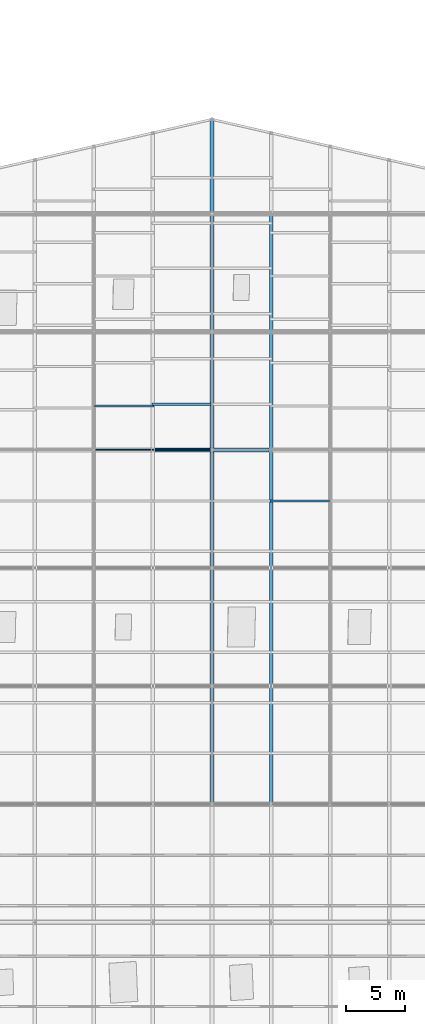
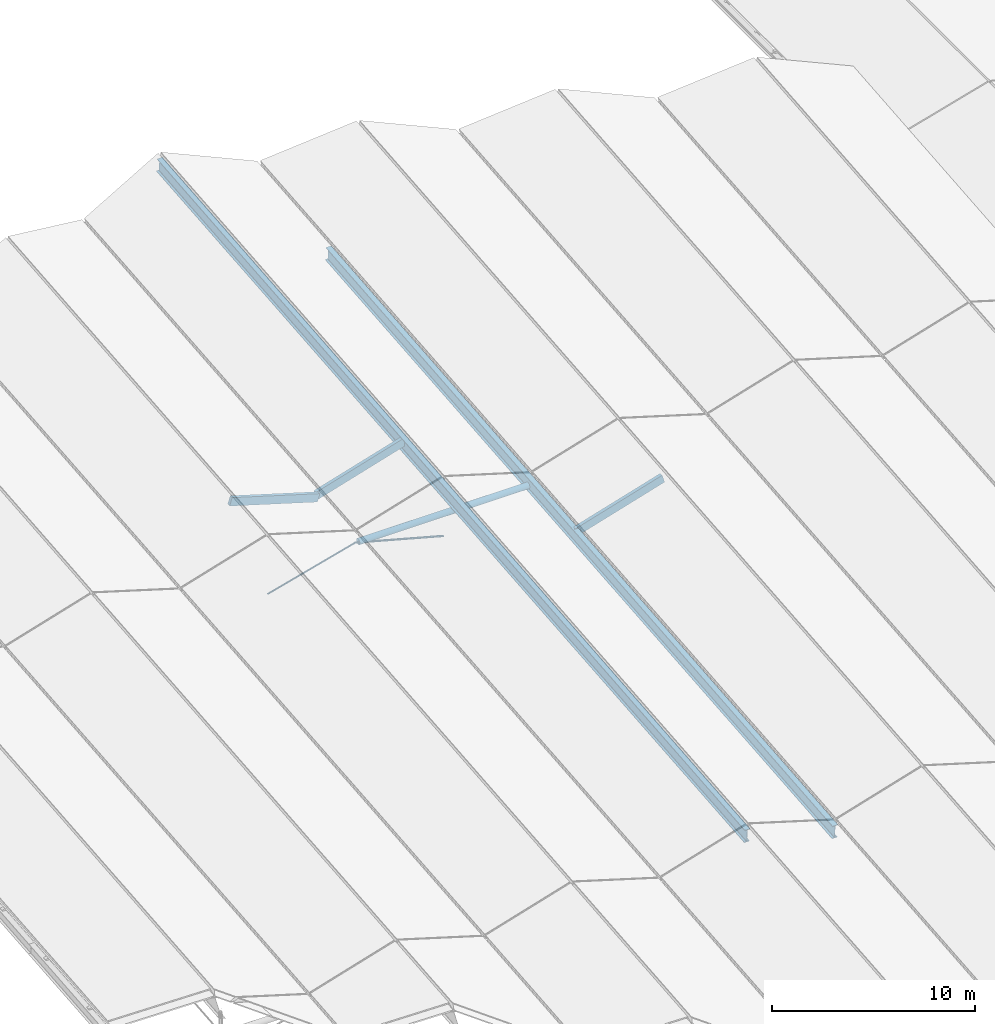
# One storey, part 32 of 90: 5 members, 3 beams.
"""IFC4 building model written with IfcOpenShell, lengths in metres."""

from ifc_helpers import new_model, si_unit, direction, frame, origin, origin_2d, place, context, subcontext, project, spatial, rectangle, circle, hollow_circle, i_section, extrude, material, material_profile, profile_set, type_object, element, save


model = new_model("IFC4")

# Units and contexts
model_context = context("Model", 3, precision=1e-05, world=origin(), true_north=direction((0.0, 1.0)))
body_context = subcontext(model_context, "Body", "Model", "MODEL_VIEW")
ifc_project = project(units=[si_unit("LENGTHUNIT", "METRE"), si_unit("AREAUNIT", "SQUARE_METRE"), si_unit("VOLUMEUNIT", "CUBIC_METRE"), si_unit("PLANEANGLEUNIT", "RADIAN"), si_unit("MASSUNIT", "GRAM", prefix="KILO"), si_unit("THERMODYNAMICTEMPERATUREUNIT", "KELVIN"), si_unit("POWERUNIT", "WATT")], contexts=[model_context])

# Site, building, storey
site_placement = place(None, origin())
site = spatial("IfcSite", under=ifc_project, at=site_placement, CompositionType="ELEMENT")
building_placement = place(site_placement, origin())
building = spatial("IfcBuilding", under=site, at=building_placement, Name="Korenveer Ferry Terminal", CompositionType="ELEMENT")
storey_placement = place(building_placement, frame((0.0, 0.0, 22.199951171875)))
storey = spatial("IfcBuildingStorey", under=building, at=storey_placement, Name="RF", CompositionType="ELEMENT", Elevation=22.199951171875)

# Beams
ifc_material_1 = material(Name="Steel S355", Category="steel")
ifc_material_profile_1 = material_profile(ifc_material_1, i_section(OverallWidth=0.300048828125, OverallDepth=0.800048828125, WebThickness=0.017578125, FlangeThickness=0.032958984375, FilletRadius=0.030029296875, at=origin_2d()), Name="HEB 800")
ifc_profile_set_1 = profile_set([ifc_material_profile_1], Name="Steel S355")
beam_type_1 = type_object("IfcBeamType", Name="STR-BM-HEB800", PredefinedType="BEAM", material=ifc_profile_set_1)
beam_1_placement = place(storey_placement, frame((88.0, 50.0, -7.16796875), z_axis=(0.0, 0.995903062246, 0.090427266954), x_axis=(-1.0, 0.0, 0.0)))
element("IfcBeam", 1, at=beam_1_placement, inside=storey, type_object=beam_type_1, Name="Folded roof ridge girder 8", PredefinedType="BEAM", context=body_context, shape_type="SweptSolid", body=[
    extrude(i_section(OverallWidth=0.300048828125, OverallDepth=0.800048828125, WebThickness=0.017578125, FlangeThickness=0.032958984375, FilletRadius=0.030029296875, at=origin_2d()), origin(), (0.0, 0.0, 1.0), 58.238525390625),
])
beam_2_placement = place(storey_placement, frame((93.0, 50.0, -8.677734375), z_axis=(0.0, 0.995902926336, 0.09042876376), x_axis=(-1.0, 0.0, 0.0)))
element("IfcBeam", 2, at=beam_2_placement, inside=storey, type_object=beam_type_1, Name="Folded roof valley girder 41", PredefinedType="BEAM", context=body_context, shape_type="SweptSolid", body=[
    extrude(i_section(OverallWidth=0.300048828125, OverallDepth=0.800048828125, WebThickness=0.017578125, FlangeThickness=0.032958984375, FilletRadius=0.030029296875, at=origin_2d()), origin(), (0.0, 0.0, 1.0), 50.205810546875),
])

# Members
ifc_material_2 = material(Name="High-strength steel S460", Category="steel")
ifc_material_profile_2 = material_profile(ifc_material_2, circle(Radius=0.044921875, at=origin_2d()), Name="ROD D90")
ifc_profile_set_2 = profile_set([ifc_material_profile_2], Name="High-strength steel S460")
member_type_1 = type_object("IfcMemberType", Name="STR-CBL-D90", PredefinedType="USERDEFINED", material=ifc_profile_set_2)
for number, where, z_axis, x_axis, name in (
    (3, (83.0, 80.0, -5.95361328125), (-0.965424337217, 0.0, -0.260683426993), (0.0, -1.0, 0.0), "Roof tension tie cable 62"),
    (4, (83.0, 80.0, -5.95361328125), (0.965424337217, 0.0, -0.260683426993), (0.0, 1.0, 0.0), "Roof tension tie cable 63"),
):
    element("IfcMember", number, at=place(storey_placement, frame(where, z_axis=z_axis, x_axis=x_axis)), inside=storey, type_object=member_type_1, Name=name, ObjectType="CABLE", PredefinedType="USERDEFINED", context=body_context, shape_type="SweptSolid", body=[
        extrude(circle(Radius=0.044921875, at=origin_2d()), origin(), (0.0, 0.0, 1.0), 5.178955078125),
    ])
ifc_material_3 = material(Name="Glulam GL28h", Category="wood")
ifc_material_profile_3 = material_profile(ifc_material_3, rectangle(XDim=0.199951171875, YDim=0.47998046875, at=origin_2d()), Name="GL 200x480")
ifc_profile_set_3 = profile_set([ifc_material_profile_3], Name="Glulam GL28h")
member_type_2 = type_object("IfcMemberType", Name="STR-PUR-GL200", PredefinedType="PURLIN", material=ifc_profile_set_3)
for number, where, z_axis, x_axis, name in (
    (5, (78.0, 83.718994140625, -3.947998046875), (0.957310140112, 0.0, -0.289062788401), (0.0, 1.0, 0.0), "Folded roof glulam purlin 103"),
    (6, (83.0, 83.88232421875, -5.44287109375), (0.957310140112, 0.0, 0.289062788401), (0.0, 1.0, 0.0), "Folded roof glulam purlin 133"),
    (7, (93.0, 75.678466796875, -6.187744140625), (0.957310140112, 0.0, 0.289062788401), (0.0, 1.0, 0.0), "Folded roof glulam purlin 162"),
):
    element("IfcMember", number, at=place(storey_placement, frame(where, z_axis=z_axis, x_axis=x_axis)), inside=storey, type_object=member_type_2, Name=name, PredefinedType="PURLIN", context=body_context, shape_type="SweptSolid", body=[
        extrude(rectangle(XDim=0.199951171875, YDim=0.47998046875, at=origin_2d()), origin(), (0.0, 0.0, 1.0), 5.222900390625),
    ])

# Beam
ifc_material_profile_4 = material_profile(ifc_material_1, hollow_circle(Radius=0.177734375, WallThickness=0.01611328125, at=origin_2d()), Name="CHS 355.6x16")
ifc_profile_set_4 = profile_set([ifc_material_profile_4], Name="Steel S355")
beam_type_2 = type_object("IfcBeamType", Name="STR-RFG-CHS355", PredefinedType="USERDEFINED", material=ifc_profile_set_4)
beam_3_placement = place(storey_placement, frame((83.159912109375, 80.0, -5.95361328125), z_axis=(1.0, 0.0, 0.0), x_axis=(0.0, 1.0, 0.0)))
element("IfcBeam", 8, at=beam_3_placement, inside=storey, type_object=beam_type_2, Name="Roof transverse tie girder 120", ObjectType="ROOF GIRDER", PredefinedType="USERDEFINED", context=body_context, shape_type="SweptSolid", body=[
    extrude(hollow_circle(Radius=0.177734375, WallThickness=0.01611328125, at=origin_2d()), origin(), (0.0, 0.0, 1.0), 9.68017578125),
])

save(model, "model.ifc")
